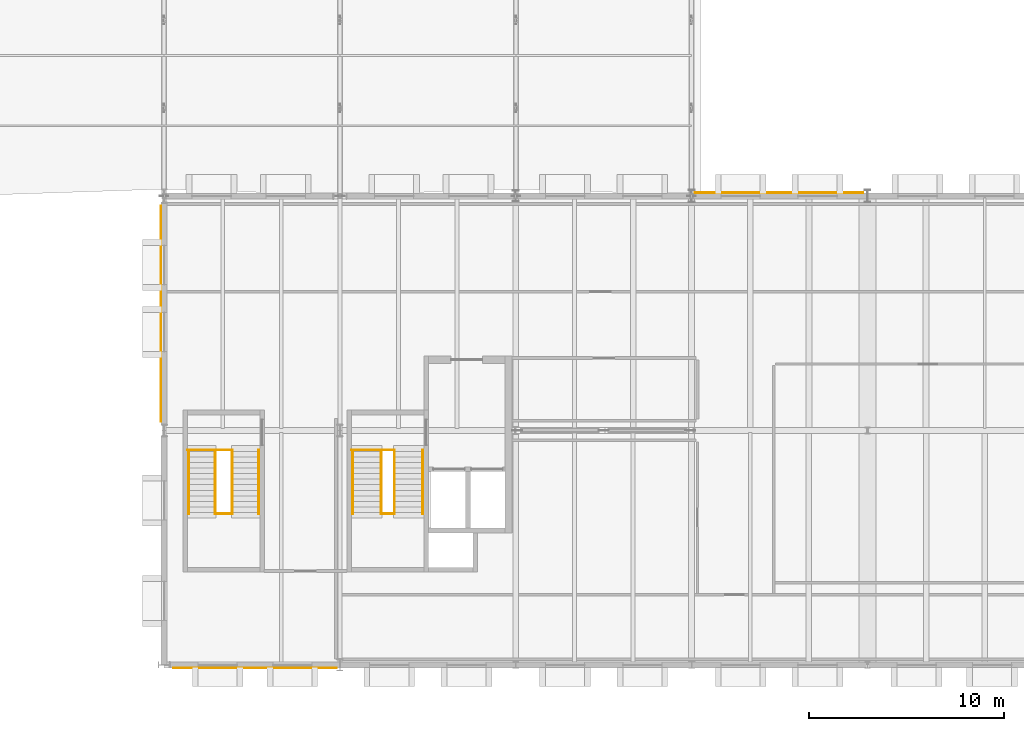
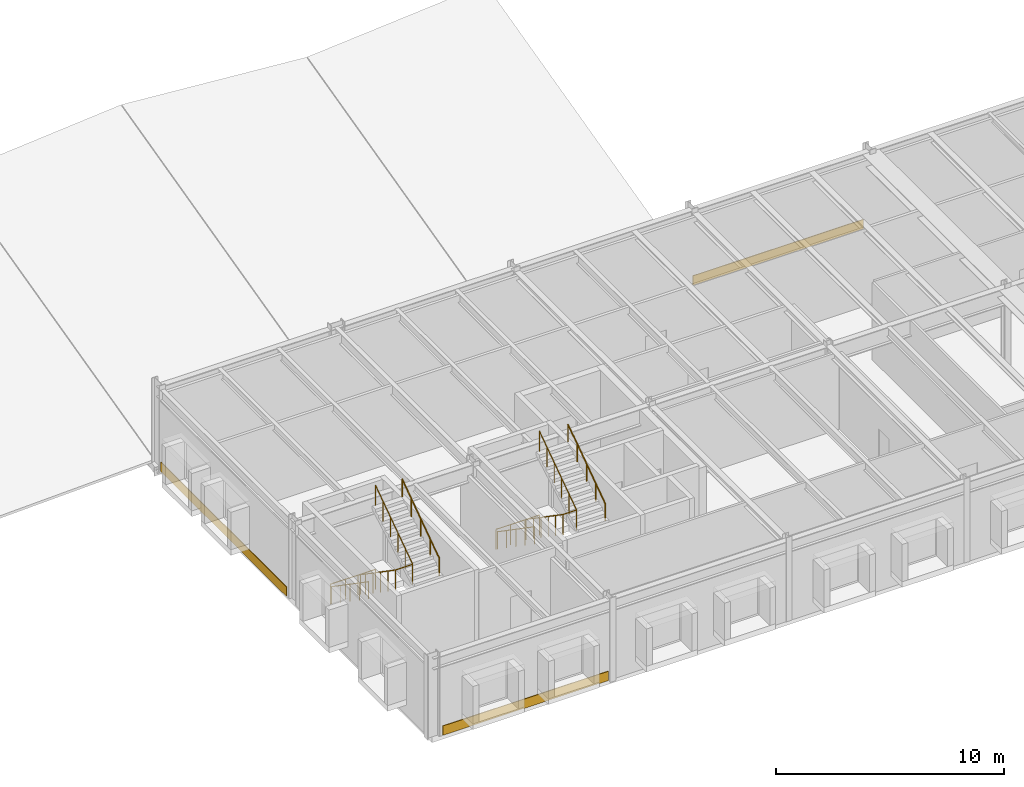
# One storey, part 64 of 67: 12 railings, 3 coverings.
"""IFC4 building model written with IfcOpenShell, lengths in metres."""

from ifc_helpers import new_model, si_unit, direction, frame, origin, origin_2d, place, context, subcontext, project, spatial, rectangle, circle, extrude, material, layer, layer_set, type_object, element, save


model = new_model("IFC4")

# Units and contexts
model_context = context("Model", 3, precision=1e-05, world=origin(), true_north=direction((0.0, 1.0)))
body_context = subcontext(model_context, "Body", "Model", "MODEL_VIEW")
ifc_project = project(units=[si_unit("LENGTHUNIT", "METRE"), si_unit("AREAUNIT", "SQUARE_METRE"), si_unit("VOLUMEUNIT", "CUBIC_METRE"), si_unit("PLANEANGLEUNIT", "RADIAN"), si_unit("MASSUNIT", "GRAM", prefix="KILO")], contexts=[model_context])

# Site, building, storey
site_placement = place(None, origin())
site = spatial("IfcSite", under=ifc_project, at=site_placement, CompositionType="ELEMENT")
building_placement = place(site_placement, origin())
building = spatial("IfcBuilding", under=site, at=building_placement, Name="Montelvaro Courts of Justice", CompositionType="ELEMENT")
storey_placement = place(building_placement, frame((0.0, 0.0, 18.89990234375)))
storey = spatial("IfcBuildingStorey", under=building, at=storey_placement, Name="L04", CompositionType="ELEMENT", Elevation=18.89990234375)

# Coverings
ifc_material_1 = material(Name="White mineral precast concrete C45/55", Category="concrete")
ifc_layer = layer(ifc_material_1, 0.0400390625)
ifc_layer_set = layer_set([ifc_layer], Name="White mineral precast concrete C45/55")
covering_type = type_object("IfcCoveringType", Name="BarCladding_GFRC", PredefinedType="CLADDING", material=ifc_layer_set)
covering_1_placement = place(storey_placement, frame((49.64990234375, -0.162109375, 0.030029296875), z_axis=(0.0, 0.0, 1.0), x_axis=(1.0, 0.0, 0.0)))
element("IfcCovering", 1, at=covering_1_placement, inside=storey, type_object=covering_type, Name="Horizontal White Bar Spandrel Cladding CL-01-022", PredefinedType="CLADDING", context=body_context, shape_type="SweptSolid", body=[
    extrude(rectangle(XDim=8.384033203125, YDim=0.0400390625, at=origin_2d()), origin(), (0.0, 0.0, 1.0), 0.5),
])
covering_2_placement = place(storey_placement, frame((76.47509765625, 24.162109375, 0.030029296875), z_axis=(0.0, 0.0, 1.0), x_axis=(-1.0, 0.0, 0.0)))
element("IfcCovering", 2, at=covering_2_placement, inside=storey, type_object=covering_type, Name="Horizontal White Bar Spandrel Cladding CL-01-023", PredefinedType="CLADDING", context=body_context, shape_type="SweptSolid", body=[
    extrude(rectangle(XDim=8.634033203125, YDim=0.0400390625, at=origin_2d()), origin(), (0.0, 0.0, 1.0), 0.5),
])
covering_3_placement = place(storey_placement, frame((44.837890625, 17.97607421875, 0.030029296875), z_axis=(0.0, 0.0, 1.0), x_axis=(0.0, -1.0, 0.0)))
element("IfcCovering", 3, at=covering_3_placement, inside=storey, type_object=covering_type, Name="Horizontal White Bar Spandrel Cladding CL-01-024", PredefinedType="CLADDING", context=body_context, shape_type="SweptSolid", body=[
    extrude(rectangle(XDim=11.035888671875, YDim=0.0400390625, at=origin_2d()), origin(), (0.0, 0.0, 1.0), 0.5),
])

# Railings
ifc_material_2 = material(Name="Steel S355", Category="steel")
railing_type_1 = type_object("IfcRailingType", Name="InteriorGuard_1100", PredefinedType="BALUSTRADE", material=ifc_material_2)
railing_1_placement = place(storey_placement, frame((54.60009765625, 11.0, 0.0)))
element("IfcRailing", 4, at=railing_1_placement, inside=storey, type_object=railing_type_1, Name="Stair Well Guard GR-02 ST-K1-L03-TLG", PredefinedType="BALUSTRADE", context=body_context, shape_type="SweptSolid", body=[
    extrude(circle(Radius=0.02392578125, at=origin_2d()), frame((0.0, 0.0, 1.076171875), z_axis=(1.0, 0.0, 0.0), x_axis=(0.0, 1.0, 0.0)), (0.0, 0.0, 1.0), 2.18994140625),
    extrude(circle(Radius=0.02099609375, at=origin_2d()), origin(), (0.0, 0.0, 1.0), 1.052001953125),
    extrude(circle(Radius=0.02099609375, at=origin_2d()), frame((0.72998046875, 0.0, 0.0)), (0.0, 0.0, 1.0), 1.052001953125),
    extrude(circle(Radius=0.02099609375, at=origin_2d()), frame((1.4599609375, 0.0, 0.0)), (0.0, 0.0, 1.0), 1.052001953125),
    extrude(circle(Radius=0.02099609375, at=origin_2d()), frame((2.18994140625, 0.0, 0.0)), (0.0, 0.0, 1.0), 1.052001953125),
])
railing_2_placement = place(storey_placement, frame((56.110107421875, 11.0, 0.0)))
element("IfcRailing", 5, at=railing_2_placement, inside=storey, type_object=railing_type_1, Name="Stair Well Guard GR-02 ST-K1-L04-F1G", PredefinedType="BALUSTRADE", context=body_context, shape_type="SweptSolid", body=[
    extrude(circle(Radius=0.02392578125, at=origin_2d()), frame((0.0, 0.0, 1.076171875), z_axis=(0.0, -0.823407228882, 0.567450910146), x_axis=(1.0, 0.0, 0.0)), (0.0, 0.0, 1.0), 3.965087890625),
    extrude(circle(Radius=0.02099609375, at=origin_2d()), origin(), (0.0, 0.0, 1.0), 1.052001953125),
    extrude(circle(Radius=0.02099609375, at=origin_2d()), frame((0.0, -0.653076171875, 0.449951171875)), (0.0, 0.0, 1.0), 1.052001953125),
    extrude(circle(Radius=0.02099609375, at=origin_2d()), frame((0.0, -1.305908203125, 0.89990234375)), (0.0, 0.0, 1.0), 1.052001953125),
    extrude(circle(Radius=0.02099609375, at=origin_2d()), frame((0.0, -1.958984375, 1.35009765625)), (0.0, 0.0, 1.0), 1.052001953125),
    extrude(circle(Radius=0.02099609375, at=origin_2d()), frame((0.0, -2.61181640625, 1.800048828125)), (0.0, 0.0, 1.0), 1.052001953125),
    extrude(circle(Radius=0.02099609375, at=origin_2d()), frame((0.0, -3.264892578125, 2.25)), (0.0, 0.0, 1.0), 1.052001953125),
])
railing_3_placement = place(storey_placement, frame((56.7900390625, 7.735107421875, 2.25)))
element("IfcRailing", 6, at=railing_3_placement, inside=storey, type_object=railing_type_1, Name="Stair Well Guard GR-02 ST-K1-L04-F2G", PredefinedType="BALUSTRADE", context=body_context, shape_type="SweptSolid", body=[
    extrude(circle(Radius=0.02392578125, at=origin_2d()), frame((0.0, 0.0, 1.076171875), z_axis=(0.0, 0.823407228882, 0.567450910146), x_axis=(-1.0, 0.0, 0.0)), (0.0, 0.0, 1.0), 3.965087890625),
    extrude(circle(Radius=0.02099609375, at=origin_2d()), origin(), (0.0, 0.0, 1.0), 1.052001953125),
    extrude(circle(Radius=0.02099609375, at=origin_2d()), frame((0.0, 0.653076171875, 0.449951171875)), (0.0, 0.0, 1.0), 1.052001953125),
    extrude(circle(Radius=0.02099609375, at=origin_2d()), frame((0.0, 1.305908203125, 0.89990234375)), (0.0, 0.0, 1.0), 1.052001953125),
    extrude(circle(Radius=0.02099609375, at=origin_2d()), frame((0.0, 1.958984375, 1.35009765625)), (0.0, 0.0, 1.0), 1.052001953125),
    extrude(circle(Radius=0.02099609375, at=origin_2d()), frame((0.0, 2.61181640625, 1.800048828125)), (0.0, 0.0, 1.0), 1.052001953125),
    extrude(circle(Radius=0.02099609375, at=origin_2d()), frame((0.0, 3.264892578125, 2.25)), (0.0, 0.0, 1.0), 1.052001953125),
])
railing_4_placement = place(storey_placement, frame((56.110107421875, 7.735107421875, 2.25)))
element("IfcRailing", 7, at=railing_4_placement, inside=storey, type_object=railing_type_1, Name="Stair Well Guard GR-02 ST-K1-L04-MLG", PredefinedType="BALUSTRADE", context=body_context, shape_type="SweptSolid", body=[
    extrude(circle(Radius=0.02392578125, at=origin_2d()), frame((0.0, 0.0, 1.076171875), z_axis=(1.0, 0.0, 0.0), x_axis=(0.0, 1.0, 0.0)), (0.0, 0.0, 1.0), 0.679931640625),
    extrude(circle(Radius=0.02099609375, at=origin_2d()), origin(), (0.0, 0.0, 1.0), 1.052001953125),
    extrude(circle(Radius=0.02099609375, at=origin_2d()), frame((0.679931640625, 0.0, 0.0)), (0.0, 0.0, 1.0), 1.052001953125),
])
railing_5_placement = place(storey_placement, frame((46.199951171875, 11.0, 0.0)))
element("IfcRailing", 8, at=railing_5_placement, inside=storey, type_object=railing_type_1, Name="Stair Well Guard GR-02 ST-E1-L03-TLG", PredefinedType="BALUSTRADE", context=body_context, shape_type="SweptSolid", body=[
    extrude(circle(Radius=0.02392578125, at=origin_2d()), frame((0.0, 0.0, 1.076171875), z_axis=(1.0, 0.0, 0.0), x_axis=(0.0, 1.0, 0.0)), (0.0, 0.0, 1.0), 2.2900390625),
    extrude(circle(Radius=0.02099609375, at=origin_2d()), origin(), (0.0, 0.0, 1.0), 1.052001953125),
    extrude(circle(Radius=0.02099609375, at=origin_2d()), frame((0.763427734375, 0.0, 0.0)), (0.0, 0.0, 1.0), 1.052001953125),
    extrude(circle(Radius=0.02099609375, at=origin_2d()), frame((1.526611328125, 0.0, 0.0)), (0.0, 0.0, 1.0), 1.052001953125),
    extrude(circle(Radius=0.02099609375, at=origin_2d()), frame((2.2900390625, 0.0, 0.0)), (0.0, 0.0, 1.0), 1.052001953125),
])
railing_6_placement = place(storey_placement, frame((47.610107421875, 11.0, 0.0)))
element("IfcRailing", 9, at=railing_6_placement, inside=storey, type_object=railing_type_1, Name="Stair Well Guard GR-02 ST-E1-L04-F1G", PredefinedType="BALUSTRADE", context=body_context, shape_type="SweptSolid", body=[
    extrude(circle(Radius=0.02392578125, at=origin_2d()), frame((0.0, 0.0, 1.076171875), z_axis=(0.0, -0.823407228882, 0.567450910146), x_axis=(1.0, 0.0, 0.0)), (0.0, 0.0, 1.0), 3.965087890625),
    extrude(circle(Radius=0.02099609375, at=origin_2d()), origin(), (0.0, 0.0, 1.0), 1.052001953125),
    extrude(circle(Radius=0.02099609375, at=origin_2d()), frame((0.0, -0.653076171875, 0.449951171875)), (0.0, 0.0, 1.0), 1.052001953125),
    extrude(circle(Radius=0.02099609375, at=origin_2d()), frame((0.0, -1.305908203125, 0.89990234375)), (0.0, 0.0, 1.0), 1.052001953125),
    extrude(circle(Radius=0.02099609375, at=origin_2d()), frame((0.0, -1.958984375, 1.35009765625)), (0.0, 0.0, 1.0), 1.052001953125),
    extrude(circle(Radius=0.02099609375, at=origin_2d()), frame((0.0, -2.61181640625, 1.800048828125)), (0.0, 0.0, 1.0), 1.052001953125),
    extrude(circle(Radius=0.02099609375, at=origin_2d()), frame((0.0, -3.264892578125, 2.25)), (0.0, 0.0, 1.0), 1.052001953125),
])
railing_7_placement = place(storey_placement, frame((48.489990234375, 7.735107421875, 2.25)))
element("IfcRailing", 10, at=railing_7_placement, inside=storey, type_object=railing_type_1, Name="Stair Well Guard GR-02 ST-E1-L04-F2G", PredefinedType="BALUSTRADE", context=body_context, shape_type="SweptSolid", body=[
    extrude(circle(Radius=0.02392578125, at=origin_2d()), frame((0.0, 0.0, 1.076171875), z_axis=(0.0, 0.823407228882, 0.567450910146), x_axis=(-1.0, 0.0, 0.0)), (0.0, 0.0, 1.0), 3.965087890625),
    extrude(circle(Radius=0.02099609375, at=origin_2d()), origin(), (0.0, 0.0, 1.0), 1.052001953125),
    extrude(circle(Radius=0.02099609375, at=origin_2d()), frame((0.0, 0.653076171875, 0.449951171875)), (0.0, 0.0, 1.0), 1.052001953125),
    extrude(circle(Radius=0.02099609375, at=origin_2d()), frame((0.0, 1.305908203125, 0.89990234375)), (0.0, 0.0, 1.0), 1.052001953125),
    extrude(circle(Radius=0.02099609375, at=origin_2d()), frame((0.0, 1.958984375, 1.35009765625)), (0.0, 0.0, 1.0), 1.052001953125),
    extrude(circle(Radius=0.02099609375, at=origin_2d()), frame((0.0, 2.61181640625, 1.800048828125)), (0.0, 0.0, 1.0), 1.052001953125),
    extrude(circle(Radius=0.02099609375, at=origin_2d()), frame((0.0, 3.264892578125, 2.25)), (0.0, 0.0, 1.0), 1.052001953125),
])
railing_8_placement = place(storey_placement, frame((47.610107421875, 7.735107421875, 2.25)))
element("IfcRailing", 11, at=railing_8_placement, inside=storey, type_object=railing_type_1, Name="Stair Well Guard GR-02 ST-E1-L04-MLG", PredefinedType="BALUSTRADE", context=body_context, shape_type="SweptSolid", body=[
    extrude(circle(Radius=0.02392578125, at=origin_2d()), frame((0.0, 0.0, 1.076171875), z_axis=(1.0, 0.0, 0.0), x_axis=(0.0, 1.0, 0.0)), (0.0, 0.0, 1.0), 0.8798828125),
    extrude(circle(Radius=0.02099609375, at=origin_2d()), origin(), (0.0, 0.0, 1.0), 1.052001953125),
    extrude(circle(Radius=0.02099609375, at=origin_2d()), frame((0.8798828125, 0.0, 0.0)), (0.0, 0.0, 1.0), 1.052001953125),
])
ifc_material_3 = material(Name="Austenitic stainless steel EN 1.4401", Category="steel")
railing_type_2 = type_object("IfcRailingType", Name="StairHandrail_950", PredefinedType="HANDRAIL", material=ifc_material_3)
railing_9_placement = place(storey_placement, frame((54.659912109375, 11.0, 0.0)))
element("IfcRailing", 12, at=railing_9_placement, inside=storey, type_object=railing_type_2, Name="Stair Pitch Handrail HR-01 ST-K1-L04-F1H", PredefinedType="HANDRAIL", context=body_context, shape_type="SweptSolid", body=[
    extrude(circle(Radius=0.02392578125, at=origin_2d()), frame((0.0, 0.0, 0.92578125), z_axis=(0.0, -0.823407228882, 0.567450910146), x_axis=(1.0, 0.0, 0.0)), (0.0, 0.0, 1.0), 3.965087890625),
    extrude(circle(Radius=0.02099609375, at=origin_2d()), origin(), (0.0, 0.0, 1.0), 0.90185546875),
    extrude(circle(Radius=0.02099609375, at=origin_2d()), frame((0.0, -0.816162109375, 0.5625)), (0.0, 0.0, 1.0), 0.90185546875),
    extrude(circle(Radius=0.02099609375, at=origin_2d()), frame((0.0, -1.63232421875, 1.125)), (0.0, 0.0, 1.0), 0.90185546875),
    extrude(circle(Radius=0.02099609375, at=origin_2d()), frame((0.0, -2.44873046875, 1.6875)), (0.0, 0.0, 1.0), 0.90185546875),
    extrude(circle(Radius=0.02099609375, at=origin_2d()), frame((0.0, -3.264892578125, 2.25)), (0.0, 0.0, 1.0), 0.90185546875),
])
railing_10_placement = place(storey_placement, frame((58.239990234375, 7.735107421875, 2.25)))
element("IfcRailing", 13, at=railing_10_placement, inside=storey, type_object=railing_type_2, Name="Stair Pitch Handrail HR-01 ST-K1-L04-F2H", PredefinedType="HANDRAIL", context=body_context, shape_type="SweptSolid", body=[
    extrude(circle(Radius=0.02392578125, at=origin_2d()), frame((0.0, 0.0, 0.92578125), z_axis=(0.0, 0.823407228882, 0.567450910146), x_axis=(-1.0, 0.0, 0.0)), (0.0, 0.0, 1.0), 3.965087890625),
    extrude(circle(Radius=0.02099609375, at=origin_2d()), origin(), (0.0, 0.0, 1.0), 0.90185546875),
    extrude(circle(Radius=0.02099609375, at=origin_2d()), frame((0.0, 0.816162109375, 0.5625)), (0.0, 0.0, 1.0), 0.90185546875),
    extrude(circle(Radius=0.02099609375, at=origin_2d()), frame((0.0, 1.63232421875, 1.125)), (0.0, 0.0, 1.0), 0.90185546875),
    extrude(circle(Radius=0.02099609375, at=origin_2d()), frame((0.0, 2.44873046875, 1.6875)), (0.0, 0.0, 1.0), 0.90185546875),
    extrude(circle(Radius=0.02099609375, at=origin_2d()), frame((0.0, 3.264892578125, 2.25)), (0.0, 0.0, 1.0), 0.90185546875),
])
railing_11_placement = place(storey_placement, frame((46.260009765625, 11.0, 0.0)))
element("IfcRailing", 14, at=railing_11_placement, inside=storey, type_object=railing_type_2, Name="Stair Pitch Handrail HR-01 ST-E1-L04-F1H", PredefinedType="HANDRAIL", context=body_context, shape_type="SweptSolid", body=[
    extrude(circle(Radius=0.02392578125, at=origin_2d()), frame((0.0, 0.0, 0.92578125), z_axis=(0.0, -0.823407228882, 0.567450910146), x_axis=(1.0, 0.0, 0.0)), (0.0, 0.0, 1.0), 3.965087890625),
    extrude(circle(Radius=0.02099609375, at=origin_2d()), origin(), (0.0, 0.0, 1.0), 0.90185546875),
    extrude(circle(Radius=0.02099609375, at=origin_2d()), frame((0.0, -0.816162109375, 0.5625)), (0.0, 0.0, 1.0), 0.90185546875),
    extrude(circle(Radius=0.02099609375, at=origin_2d()), frame((0.0, -1.63232421875, 1.125)), (0.0, 0.0, 1.0), 0.90185546875),
    extrude(circle(Radius=0.02099609375, at=origin_2d()), frame((0.0, -2.44873046875, 1.6875)), (0.0, 0.0, 1.0), 0.90185546875),
    extrude(circle(Radius=0.02099609375, at=origin_2d()), frame((0.0, -3.264892578125, 2.25)), (0.0, 0.0, 1.0), 0.90185546875),
])
railing_12_placement = place(storey_placement, frame((49.840087890625, 7.735107421875, 2.25)))
element("IfcRailing", 15, at=railing_12_placement, inside=storey, type_object=railing_type_2, Name="Stair Pitch Handrail HR-01 ST-E1-L04-F2H", PredefinedType="HANDRAIL", context=body_context, shape_type="SweptSolid", body=[
    extrude(circle(Radius=0.02392578125, at=origin_2d()), frame((0.0, 0.0, 0.92578125), z_axis=(0.0, 0.823407228882, 0.567450910146), x_axis=(-1.0, 0.0, 0.0)), (0.0, 0.0, 1.0), 3.965087890625),
    extrude(circle(Radius=0.02099609375, at=origin_2d()), origin(), (0.0, 0.0, 1.0), 0.90185546875),
    extrude(circle(Radius=0.02099609375, at=origin_2d()), frame((0.0, 0.816162109375, 0.5625)), (0.0, 0.0, 1.0), 0.90185546875),
    extrude(circle(Radius=0.02099609375, at=origin_2d()), frame((0.0, 1.63232421875, 1.125)), (0.0, 0.0, 1.0), 0.90185546875),
    extrude(circle(Radius=0.02099609375, at=origin_2d()), frame((0.0, 2.44873046875, 1.6875)), (0.0, 0.0, 1.0), 0.90185546875),
    extrude(circle(Radius=0.02099609375, at=origin_2d()), frame((0.0, 3.264892578125, 2.25)), (0.0, 0.0, 1.0), 0.90185546875),
])

save(model, "model.ifc")
